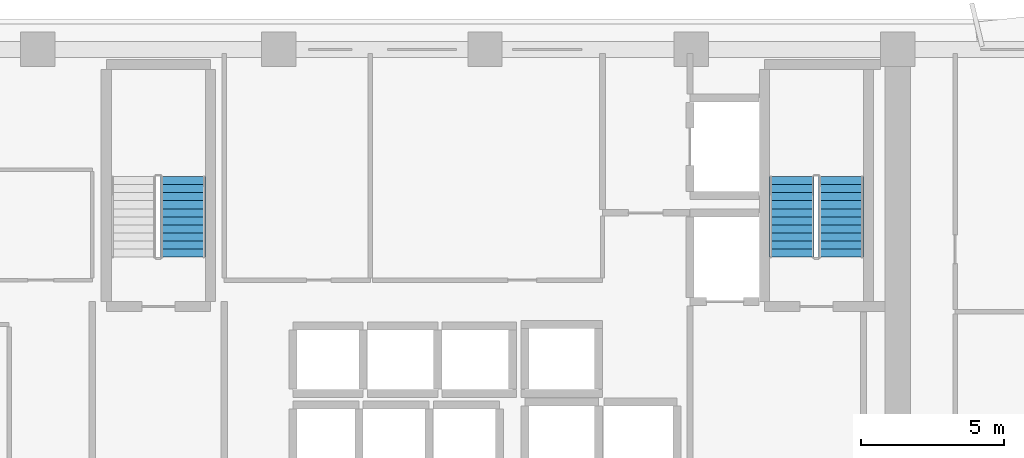
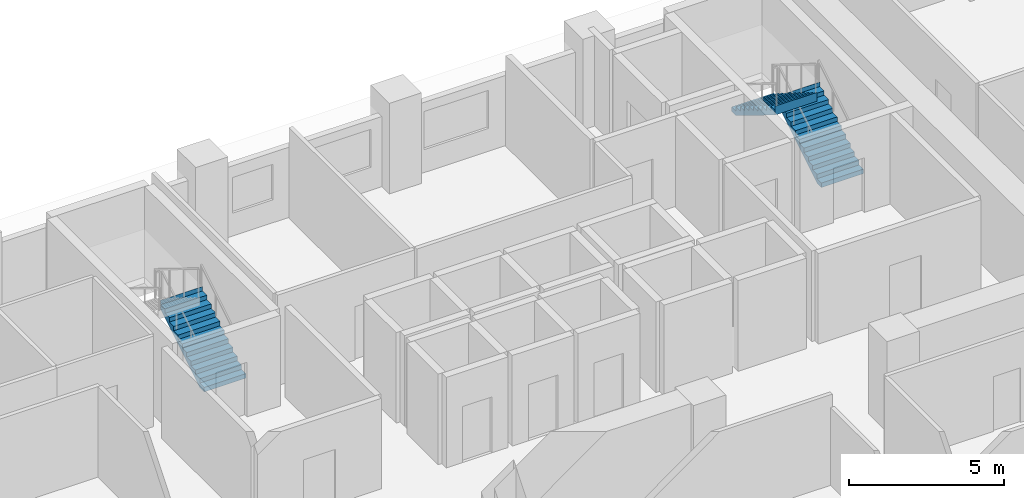
# One storey, part 10 of 15: 3 stair flights, 2 elements without a shape of their own.
"""IFC4 building model written with IfcOpenShell, lengths in metres."""

from ifc_helpers import new_model, si_unit, direction, frame, origin, place, context, subcontext, project, spatial, polyline, outline, extrude, material, type_object, element, aggregate, save


model = new_model("IFC4")

# Units and contexts
model_context = context("Model", 3, precision=1e-05, world=origin(), true_north=direction((0.0, 1.0)))
body_context = subcontext(model_context, "Body", "Model", "MODEL_VIEW")
ifc_project = project(units=[si_unit("LENGTHUNIT", "METRE"), si_unit("AREAUNIT", "SQUARE_METRE"), si_unit("VOLUMEUNIT", "CUBIC_METRE"), si_unit("PLANEANGLEUNIT", "RADIAN"), si_unit("MASSUNIT", "GRAM", prefix="KILO")], contexts=[model_context])

# Site, building, storey
site_placement = place(None, origin())
site = spatial("IfcSite", under=ifc_project, at=site_placement, CompositionType="ELEMENT")
building_placement = place(site_placement, origin())
building = spatial("IfcBuilding", under=site, at=building_placement, Name="Kaelvorn Grand Hotel", CompositionType="ELEMENT")
storey_placement = place(building_placement, frame((0.0, 0.0, 173.35009765625)))
storey = spatial("IfcBuildingStorey", under=building, at=storey_placement, Name="L42", CompositionType="ELEMENT", Elevation=173.35009765625)

# Stair, stair flight
ifc_material = material(Name="Concrete C40/50", Category="concrete")
stair_type = type_object("IfcStairType", Name="STR-DOG-1560-R08", PredefinedType="HALF_TURN_STAIR", material=ifc_material)
stair_1_placement = place(storey_placement, origin())
stair_1 = element("IfcStair", 1, at=stair_1_placement, inside=storey, type_object=stair_type, Name="L42 Central Core Exit Stair ST2", PredefinedType="HALF_TURN_STAIR")
stair_flight_type = type_object("IfcStairFlightType", Name="FLG-DOG-1560-R08", PredefinedType="STRAIGHT", material=ifc_material)
stair_flight_1_placement = place(storey_placement, frame((42.860107421875, 41.760009765625, 0.0), z_axis=(0.0, 0.0, 1.0), x_axis=(0.0, 1.0, 0.0)))
stair_flight_1 = element("IfcStairFlight", 2, at=stair_flight_1_placement, type_object=stair_flight_type, Name="ST2 flight 1", NumberOfRisers=11, NumberOfTreads=10, PredefinedType="STRAIGHT", RiserHeight=0.172727273, TreadLength=0.28, context=body_context, shape_type="SweptSolid", body=[
    extrude(outline(polyline([(-0.0048828125, 0.0), (-0.0048828125, 0.0400390625), (0.0, 0.172607421875), (0.280029296875, 0.172607421875), (0.280029296875, 0.345458984375), (0.56005859375, 0.345458984375), (0.56005859375, 0.51806640625), (0.840087890625, 0.51806640625), (0.840087890625, 0.69091796875), (1.1201171875, 0.69091796875), (1.1201171875, 0.863525390625), (1.39990234375, 0.863525390625), (1.39990234375, 1.036376953125), (1.679931640625, 1.036376953125), (1.679931640625, 1.208984375), (1.9599609375, 1.208984375), (1.9599609375, 1.3818359375), (2.239990234375, 1.3818359375), (2.239990234375, 1.554443359375), (2.52001953125, 1.554443359375), (2.52001953125, 1.727294921875), (2.800048828125, 1.727294921875), (2.800048828125, 1.89990234375), (2.804931640625, 1.89990234375), (2.804931640625, 1.551025390625), (0.285400390625, 0.0), (-0.0048828125, 0.0)])), frame((0.0, 0.780029296875, 0.0), z_axis=(0.0, -1.0, 0.0), x_axis=(1.0, 0.0, 0.0)), (0.0, 0.0, 1.0), 1.56005859375),
])
aggregate(stair_1, [stair_flight_1])

# Stair, stair flights
stair_2_placement = place(storey_placement, origin())
stair_2 = element("IfcStair", 3, at=stair_2_placement, inside=storey, type_object=stair_type, Name="L42 East Core Exit Stair ST3", PredefinedType="HALF_TURN_STAIR")
stair_flight_2_placement = place(storey_placement, frame((65.820068359375, 41.760009765625, 0.0), z_axis=(0.0, 0.0, 1.0), x_axis=(0.0, 1.0, 0.0)))
stair_flight_2 = element("IfcStairFlight", 4, at=stair_flight_2_placement, type_object=stair_flight_type, Name="ST3 flight 1", NumberOfRisers=11, NumberOfTreads=10, PredefinedType="STRAIGHT", RiserHeight=0.172727273, TreadLength=0.28, context=body_context, shape_type="SweptSolid", body=[
    extrude(outline(polyline([(-0.0048828125, 0.0), (-0.0048828125, 0.0400390625), (0.0, 0.172607421875), (0.280029296875, 0.172607421875), (0.280029296875, 0.345458984375), (0.56005859375, 0.345458984375), (0.56005859375, 0.51806640625), (0.840087890625, 0.51806640625), (0.840087890625, 0.69091796875), (1.1201171875, 0.69091796875), (1.1201171875, 0.863525390625), (1.39990234375, 0.863525390625), (1.39990234375, 1.036376953125), (1.679931640625, 1.036376953125), (1.679931640625, 1.208984375), (1.9599609375, 1.208984375), (1.9599609375, 1.3818359375), (2.239990234375, 1.3818359375), (2.239990234375, 1.554443359375), (2.52001953125, 1.554443359375), (2.52001953125, 1.727294921875), (2.800048828125, 1.727294921875), (2.800048828125, 1.89990234375), (2.804931640625, 1.89990234375), (2.804931640625, 1.551025390625), (0.285400390625, 0.0), (-0.0048828125, 0.0)])), frame((0.0, 0.780029296875, 0.0), z_axis=(0.0, -1.0, 0.0), x_axis=(1.0, 0.0, 0.0)), (0.0, 0.0, 1.0), 1.56005859375),
])
stair_flight_3_placement = place(storey_placement, frame((64.10009765625, 44.56005859375, 1.89990234375), z_axis=(0.0, 0.0, 1.0), x_axis=(0.0, -1.0, 0.0)))
stair_flight_3 = element("IfcStairFlight", 5, at=stair_flight_3_placement, type_object=stair_flight_type, Name="ST3 flight 2", NumberOfRisers=11, NumberOfTreads=10, PredefinedType="STRAIGHT", RiserHeight=0.172727273, TreadLength=0.28, context=body_context, shape_type="SweptSolid", body=[
    extrude(outline(polyline([(-0.0048828125, 0.0), (-0.0048828125, 0.0400390625), (0.0, 0.172607421875), (0.280029296875, 0.172607421875), (0.280029296875, 0.345458984375), (0.56005859375, 0.345458984375), (0.56005859375, 0.51806640625), (0.840087890625, 0.51806640625), (0.840087890625, 0.69091796875), (1.1201171875, 0.69091796875), (1.1201171875, 0.863525390625), (1.39990234375, 0.863525390625), (1.39990234375, 1.036376953125), (1.679931640625, 1.036376953125), (1.679931640625, 1.208984375), (1.9599609375, 1.208984375), (1.9599609375, 1.3818359375), (2.239990234375, 1.3818359375), (2.239990234375, 1.554443359375), (2.52001953125, 1.554443359375), (2.52001953125, 1.727294921875), (2.800048828125, 1.727294921875), (2.800048828125, 1.89990234375), (2.804931640625, 1.89990234375), (2.804931640625, 1.551025390625), (0.285400390625, 0.0), (-0.0048828125, 0.0)])), frame((0.0, 0.780029296875, 0.0), z_axis=(0.0, -1.0, 0.0), x_axis=(1.0, 0.0, 0.0)), (0.0, 0.0, 1.0), 1.56005859375),
])
aggregate(stair_2, [stair_flight_2, stair_flight_3])

save(model, "model.ifc")
